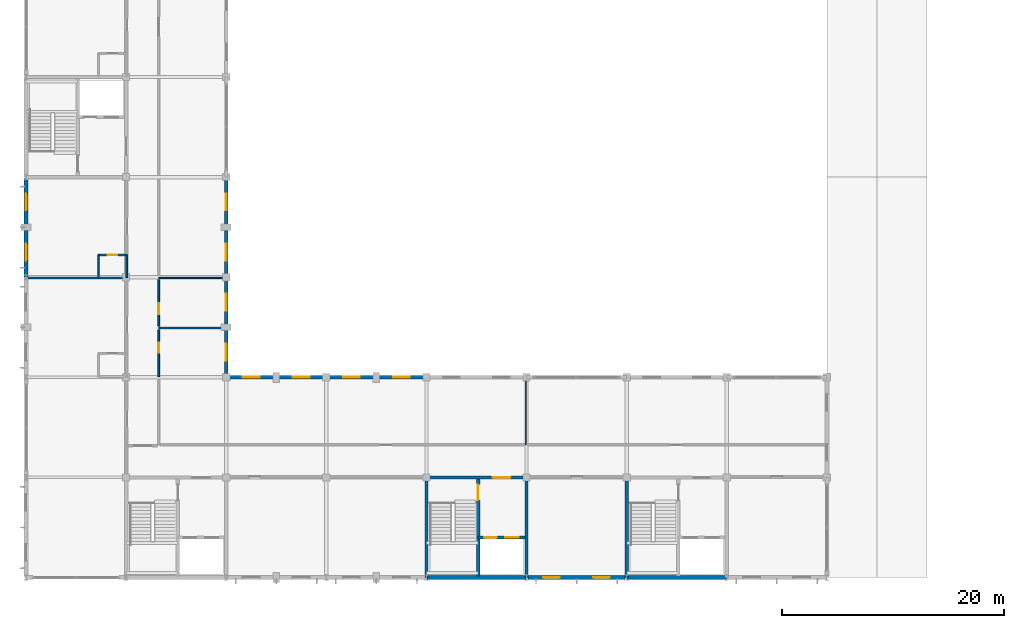
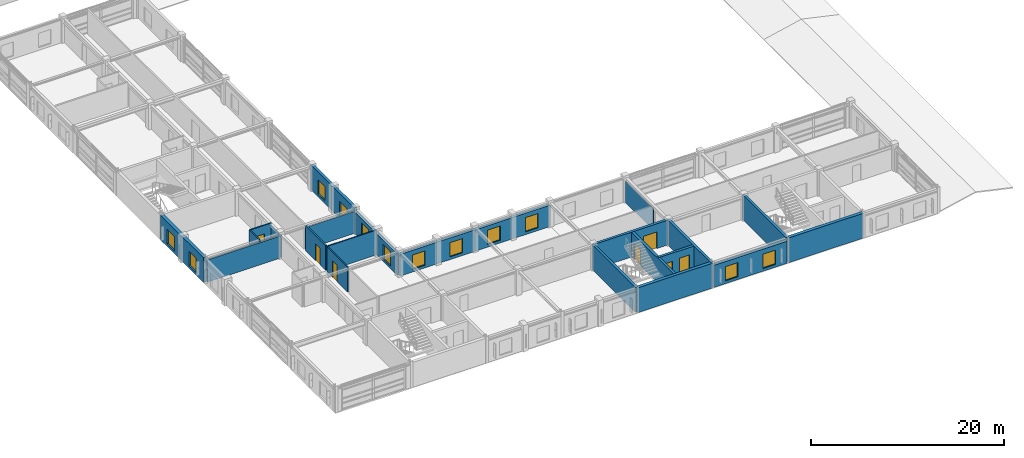
# One storey, part 71 of 91: 23 walls, 12 windows, 7 doors, 19 openings.
"""IFC4 building model written with IfcOpenShell, lengths in metres."""

from ifc_helpers import new_model, si_unit, direction, frame, frame_2d, origin, place, context, subcontext, project, spatial, rectangle, extrude, material, layer, layer_set, type_object, element, fill, save


model = new_model("IFC4")

# Units and contexts
model_context = context("Model", 3, precision=1e-05, world=origin(), true_north=direction((0.0, 1.0)))
body_context = subcontext(model_context, "Body", "Model", "MODEL_VIEW")
ifc_project = project(units=[si_unit("LENGTHUNIT", "METRE"), si_unit("AREAUNIT", "SQUARE_METRE"), si_unit("VOLUMEUNIT", "CUBIC_METRE"), si_unit("PLANEANGLEUNIT", "RADIAN"), si_unit("MASSUNIT", "GRAM", prefix="KILO")], contexts=[model_context])

# Site, building, storey
site_placement = place(None, origin())
site = spatial("IfcSite", under=ifc_project, at=site_placement, CompositionType="ELEMENT")
building_placement = place(site_placement, origin())
building = spatial("IfcBuilding", under=site, at=building_placement, Name="Palais des Congres Ocreval", CompositionType="ELEMENT")
storey_placement = place(building_placement, frame((0.0, 0.0, 8.159912109375)))
storey = spatial("IfcBuildingStorey", under=building, at=storey_placement, Name="L02", CompositionType="ELEMENT", Elevation=8.159912109375)

# Wall, opening, door
ifc_material_1 = material(Name="Moisture-resistant gypsum board")
ifc_layer_1 = layer(ifc_material_1, 0.139892578125)
ifc_layer_set_1 = layer_set([ifc_layer_1], Name="Bathroom Plumbing Chase Wall 140 Gypsum (Moisture-resistant gypsum board)")
wall_type_1 = type_object("IfcWallType", Name="Bathroom Plumbing Chase Wall 140 Gypsum", PredefinedType="PLUMBINGWALL", material=ifc_layer_set_1)
wall_1_placement = place(storey_placement, frame((6.5, 29.0, 0.0), z_axis=(0.0, 0.0, 1.0), x_axis=(1.0, 0.0, 0.0)))
wall_1 = element("IfcWall", 1, at=wall_1_placement, inside=storey, type_object=wall_type_1, Name="Bathroom Plumbing Wall PW03 L02", PredefinedType="PLUMBINGWALL", context=body_context, shape_type="SweptSolid", body=[
    extrude(rectangle(XDim=2.56005859375, YDim=0.139892578125, at=frame_2d((1.280029296875, 0.0))), origin(), (0.0, 0.0, 1.0), 3.14013671875),
])
opening_1_placement = place(wall_1_placement, frame((0.85498046875, 0.0, 0.0)))
opening_1 = element("IfcOpeningElement", 2, at=opening_1_placement, cuts=wall_1, Name="Opening D08", PredefinedType="OPENING", context=body_context, shape_type="SweptSolid", body=[
    extrude(rectangle(XDim=0.85009765625, YDim=2.0400390625, at=frame_2d((0.425048828125, 1.02001953125))), frame((0.0, 0.079833984375, 0.0), z_axis=(0.0, -1.0, 0.0), x_axis=(1.0, 0.0, 0.0)), (0.0, 0.0, 1.0), 0.159912109375),
])
ifc_material_2 = material(Name="Solid French oak", Category="wood")
door_type_1 = type_object("IfcDoorType", Name="En-Suite Bathroom Door 850x2040", OperationType="NOTDEFINED", PredefinedType="DOOR", material=ifc_material_2)
door_1_placement = place(opening_1_placement, origin())
door_1 = element("IfcDoor", 3, at=door_1_placement, inside=storey, type_object=door_type_1, Name="En-Suite Bathroom Door D08 L02", OperationType="SINGLE_SWING_RIGHT", OverallHeight=2.0400390625, OverallWidth=0.85009765625, PredefinedType="DOOR", context=body_context, shape_type="SweptSolid", body=[
    extrude(rectangle(XDim=0.85009765625, YDim=2.0400390625, at=frame_2d((0.425048828125, 1.02001953125))), frame((0.0, 0.02490234375, 0.0), z_axis=(0.0, -1.0, 0.0), x_axis=(1.0, 0.0, 0.0)), (0.0, 0.0, 1.0), 0.050048828125),
])
fill(opening_1, door_1)

# Walls
wall_2_placement = place(storey_placement, frame((6.5, 26.93994140625, 0.0), z_axis=(0.0, 0.0, 1.0), x_axis=(0.0, 1.0, 0.0)))
element("IfcWall", 4, at=wall_2_placement, inside=storey, type_object=wall_type_1, Name="Bathroom Plumbing Wall PW03 L02", PredefinedType="PLUMBINGWALL", context=body_context, shape_type="SweptSolid", body=[
    extrude(rectangle(XDim=2.06005859375, YDim=0.139892578125, at=frame_2d((1.030029296875, 0.0))), origin(), (0.0, 0.0, 1.0), 3.14013671875),
])
wall_3_placement = place(storey_placement, frame((11.93994140625, 22.43505859375, 0.0), z_axis=(0.0, 0.0, 1.0), x_axis=(1.0, 0.0, 0.0)))
element("IfcWall", 5, at=wall_3_placement, inside=storey, type_object=wall_type_1, Name="Interior Partition PW03 L02", PredefinedType="PLUMBINGWALL", context=body_context, shape_type="SweptSolid", body=[
    extrude(rectangle(XDim=5.885009765625, YDim=0.139892578125, at=frame_2d((2.9423828125, 0.0))), origin(), (0.0, 0.0, 1.0), 3.14013671875),
])

# Wall, opening, door
wall_4_placement = place(storey_placement, frame((11.93505859375, 18.070068359375, 0.0), z_axis=(0.0, 0.0, 1.0), x_axis=(0.0, 1.0, 0.0)))
wall_4 = element("IfcWall", 6, at=wall_4_placement, inside=storey, type_object=wall_type_1, Name="Interior Partition PW03 L02", PredefinedType="PLUMBINGWALL", context=body_context, shape_type="SweptSolid", body=[
    extrude(rectangle(XDim=4.2099609375, YDim=0.139892578125, at=frame_2d((2.10498046875, 0.0))), origin(), (0.0, 0.0, 1.0), 3.14013671875),
])
opening_2_placement = place(wall_4_placement, frame((2.16015625, 0.0, 0.0)))
opening_2 = element("IfcOpeningElement", 7, at=opening_2_placement, cuts=wall_4, Name="Opening D09", PredefinedType="OPENING", context=body_context, shape_type="SweptSolid", body=[
    extrude(rectangle(XDim=0.89990234375, YDim=2.10009765625, at=frame_2d((0.449951171875, 1.050048828125))), frame((0.0, 0.079833984375, 0.0), z_axis=(0.0, -1.0, 0.0), x_axis=(1.0, 0.0, 0.0)), (0.0, 0.0, 1.0), 0.159912109375),
])
door_type_2 = type_object("IfcDoorType", Name="Accessible Restroom Door 900x2100", OperationType="NOTDEFINED", PredefinedType="DOOR", material=ifc_material_2)
door_2_placement = place(opening_2_placement, origin())
door_2 = element("IfcDoor", 8, at=door_2_placement, inside=storey, type_object=door_type_2, Name="Interior Door D09 L02", OperationType="SINGLE_SWING_LEFT", OverallHeight=2.10009765625, OverallWidth=0.89990234375, PredefinedType="DOOR", context=body_context, shape_type="SweptSolid", body=[
    extrude(rectangle(XDim=0.89990234375, YDim=2.10009765625, at=frame_2d((0.449951171875, 1.050048828125))), frame((0.0, 0.02490234375, 0.0), z_axis=(0.0, -1.0, 0.0), x_axis=(1.0, 0.0, 0.0)), (0.0, 0.0, 1.0), 0.050048828125),
])
fill(opening_2, door_2)

# Wall
ifc_material_3 = material(Name="Concrete C40/50", Category="concrete")
ifc_layer_2 = layer(ifc_material_3, 0.300048828125)
ifc_layer_set_2 = layer_set([ifc_layer_2], Name="Core Shear Wall 300 Concrete C40/50")
wall_type_2 = type_object("IfcWallType", Name="Core Shear Wall 300 Concrete C40/50", PredefinedType="SHEAR", material=ifc_layer_set_2)
wall_5_placement = place(storey_placement, frame((45.0, 0.0, 0.0), z_axis=(0.0, 0.0, 1.0), x_axis=(0.0, 1.0, 0.0)))
element("IfcWall", 9, at=wall_5_placement, inside=storey, type_object=wall_type_2, Name="Core Shear Wall SC02 L02 E", PredefinedType="SHEAR", context=body_context, shape_type="SweptSolid", body=[
    extrude(rectangle(XDim=9.0, YDim=0.300048828125, at=frame_2d((4.5, 0.0))), origin(), (0.0, 0.0, 1.0), 3.14013671875),
])

# Wall, opening, door
wall_6_placement = place(storey_placement, frame((36.0, 9.0, 0.0), z_axis=(0.0, 0.0, 1.0), x_axis=(1.0, 0.0, 0.0)))
wall_6 = element("IfcWall", 10, at=wall_6_placement, inside=storey, type_object=wall_type_2, Name="Core Shear Wall SC02 L02 N", PredefinedType="SHEAR", context=body_context, shape_type="SweptSolid", body=[
    extrude(rectangle(XDim=9.0, YDim=0.300048828125, at=frame_2d((4.5, 0.0))), origin(), (0.0, 0.0, 1.0), 3.14013671875),
])
opening_3_placement = place(wall_6_placement, frame((5.949951171875, 0.0, 0.0)))
opening_3 = element("IfcOpeningElement", 11, at=opening_3_placement, cuts=wall_6, Name="Opening D02", PredefinedType="OPENING", context=body_context, shape_type="SweptSolid", body=[
    extrude(rectangle(XDim=1.60009765625, YDim=2.10009765625, at=frame_2d((0.800048828125, 1.050048828125))), frame((0.0, 0.159912109375, 0.0), z_axis=(0.0, -1.0, 0.0), x_axis=(1.0, 0.0, 0.0)), (0.0, 0.0, 1.0), 0.320068359375),
])
ifc_material_4 = material(Name="Painted fire-rated steel", Category="steel")
door_type_3 = type_object("IfcDoorType", Name="Firefighting Lobby Rated Door 1600x2100", OperationType="NOTDEFINED", PredefinedType="DOOR", material=ifc_material_4)
door_3_placement = place(opening_3_placement, origin())
door_3 = element("IfcDoor", 12, at=door_3_placement, inside=storey, type_object=door_type_3, Name="Firefighting Lobby Entrance Door SC02 L02", OperationType="DOUBLE_DOOR_SINGLE_SWING", OverallHeight=2.10009765625, OverallWidth=1.60009765625, PredefinedType="DOOR", context=body_context, shape_type="SweptSolid", body=[
    extrude(rectangle(XDim=1.60009765625, YDim=2.10009765625, at=frame_2d((0.800048828125, 1.050048828125))), frame((0.0, 0.02490234375, 0.0), z_axis=(0.0, -1.0, 0.0), x_axis=(1.0, 0.0, 0.0)), (0.0, 0.0, 1.0), 0.050048828125),
])
fill(opening_3, door_3)

# Wall
wall_7_placement = place(storey_placement, frame((36.0, 0.0, 0.0), z_axis=(0.0, 0.0, 1.0), x_axis=(0.0, 1.0, 0.0)))
element("IfcWall", 13, at=wall_7_placement, inside=storey, type_object=wall_type_2, Name="Core Shear Wall SC02 L02 W", PredefinedType="SHEAR", context=body_context, shape_type="SweptSolid", body=[
    extrude(rectangle(XDim=9.0, YDim=0.300048828125, at=frame_2d((4.5, 0.0))), origin(), (0.0, 0.0, 1.0), 3.14013671875),
])

# Wall, opening, door
wall_8_placement = place(storey_placement, frame((40.64990234375, 0.14990234375, 0.0), z_axis=(0.0, 0.0, 1.0), x_axis=(0.0, 1.0, 0.0)))
wall_8 = element("IfcWall", 14, at=wall_8_placement, inside=storey, type_object=wall_type_2, Name="Core Spine Shear Wall SC02 L02", PredefinedType="SHEAR", context=body_context, shape_type="SweptSolid", body=[
    extrude(rectangle(XDim=8.7001953125, YDim=0.300048828125, at=frame_2d((4.35009765625, 0.0))), origin(), (0.0, 0.0, 1.0), 3.14013671875),
])
opening_4_placement = place(wall_8_placement, frame((6.800048828125, 0.0, 0.0)))
opening_4 = element("IfcOpeningElement", 15, at=opening_4_placement, cuts=wall_8, Name="Opening D03", PredefinedType="OPENING", context=body_context, shape_type="SweptSolid", body=[
    extrude(rectangle(XDim=1.39990234375, YDim=2.02001953125, at=frame_2d((0.699951171875, 1.010009765625))), frame((0.0, 0.159912109375, 0.0), z_axis=(0.0, -1.0, 0.0), x_axis=(1.0, 0.0, 0.0)), (0.0, 0.0, 1.0), 0.320068359375),
])
door_type_4 = type_object("IfcDoorType", Name="Core Lobby Rated Door 1400x2020", OperationType="NOTDEFINED", PredefinedType="DOOR", material=ifc_material_4)
door_4_placement = place(opening_4_placement, origin())
door_4 = element("IfcDoor", 16, at=door_4_placement, inside=storey, type_object=door_type_4, Name="Protected Exit Stair Door ST02 L02", OperationType="SINGLE_SWING_RIGHT", OverallHeight=2.02001953125, OverallWidth=1.39990234375, PredefinedType="DOOR", context=body_context, shape_type="SweptSolid", body=[
    extrude(rectangle(XDim=1.39990234375, YDim=2.02001953125, at=frame_2d((0.699951171875, 1.010009765625))), frame((0.0, 0.02490234375, 0.0), z_axis=(0.0, -1.0, 0.0), x_axis=(1.0, 0.0, 0.0)), (0.0, 0.0, 1.0), 0.050048828125),
])
fill(opening_4, door_4)

# Wall, openings, doors
wall_9_placement = place(storey_placement, frame((40.64990234375, 3.60009765625, 0.0), z_axis=(0.0, 0.0, 1.0), x_axis=(1.0, 0.0, 0.0)))
wall_9 = element("IfcWall", 17, at=wall_9_placement, inside=storey, type_object=wall_type_2, Name="Lift Shaft Front Wall SC02 L02", PredefinedType="SHEAR", context=body_context, shape_type="SweptSolid", body=[
    extrude(rectangle(XDim=4.2001953125, YDim=0.300048828125, at=frame_2d((2.10009765625, 0.0))), origin(), (0.0, 0.0, 1.0), 3.14013671875),
])
opening_5_placement = place(wall_9_placement, frame((0.550048828125, 0.0, 0.0)))
opening_5 = element("IfcOpeningElement", 18, at=opening_5_placement, cuts=wall_9, Name="Opening LD01", PredefinedType="OPENING", context=body_context, shape_type="SweptSolid", body=[
    extrude(rectangle(XDim=1.10009765625, YDim=2.10009765625, at=frame_2d((0.550048828125, 1.050048828125))), frame((0.0, 0.159912109375, 0.0), z_axis=(0.0, -1.0, 0.0), x_axis=(1.0, 0.0, 0.0)), (0.0, 0.0, 1.0), 0.320068359375),
])
opening_6_placement = place(wall_9_placement, frame((2.449951171875, 0.0, 0.0)))
opening_6 = element("IfcOpeningElement", 19, at=opening_6_placement, cuts=wall_9, Name="Opening LD02", PredefinedType="OPENING", context=body_context, shape_type="SweptSolid", body=[
    extrude(rectangle(XDim=1.199951171875, YDim=2.199951171875, at=frame_2d((0.60009765625, 1.10009765625))), frame((0.0, 0.159912109375, 0.0), z_axis=(0.0, -1.0, 0.0), x_axis=(1.0, 0.0, 0.0)), (0.0, 0.0, 1.0), 0.320068359375),
])
ifc_material_5 = material(Name="Stainless steel", Category="steel")
door_type_5 = type_object("IfcDoorType", Name="Firefighting Lift Sliding Landing Door 1100x2100", OperationType="NOTDEFINED", PredefinedType="DOOR", material=ifc_material_5)
door_5_placement = place(opening_5_placement, origin())
door_5 = element("IfcDoor", 20, at=door_5_placement, inside=storey, type_object=door_type_5, Name="Lift Landing Sliding Door FF2 L02", OperationType="DOUBLE_DOOR_SLIDING", OverallHeight=2.10009765625, OverallWidth=1.10009765625, PredefinedType="DOOR", context=body_context, shape_type="SweptSolid", body=[
    extrude(rectangle(XDim=1.10009765625, YDim=2.10009765625, at=frame_2d((0.550048828125, 1.050048828125))), frame((0.0, 0.02490234375, 0.0), z_axis=(0.0, -1.0, 0.0), x_axis=(1.0, 0.0, 0.0)), (0.0, 0.0, 1.0), 0.050048828125),
])
fill(opening_5, door_5)
ifc_material_6 = material(Name="Anodized bronze steel", Category="steel")
door_type_6 = type_object("IfcDoorType", Name="Passenger and Service Lift Sliding Door 1200x2200", OperationType="NOTDEFINED", PredefinedType="DOOR", material=ifc_material_6)
door_6_placement = place(opening_6_placement, origin())
door_6 = element("IfcDoor", 21, at=door_6_placement, inside=storey, type_object=door_type_6, Name="Lift Landing Sliding Door PL2 L02", OperationType="DOUBLE_DOOR_SLIDING", OverallHeight=2.199951171875, OverallWidth=1.199951171875, PredefinedType="DOOR", context=body_context, shape_type="SweptSolid", body=[
    extrude(rectangle(XDim=1.199951171875, YDim=2.199951171875, at=frame_2d((0.60009765625, 1.10009765625))), frame((0.0, 0.02490234375, 0.0), z_axis=(0.0, -1.0, 0.0), x_axis=(1.0, 0.0, 0.0)), (0.0, 0.0, 1.0), 0.050048828125),
])
fill(opening_6, door_6)

# Walls
wall_10_placement = place(storey_placement, frame((54.0, 0.0, 0.0), z_axis=(0.0, 0.0, 1.0), x_axis=(0.0, 1.0, 0.0)))
element("IfcWall", 22, at=wall_10_placement, inside=storey, type_object=wall_type_2, Name="Core Shear Wall SC04 L02 W", PredefinedType="SHEAR", context=body_context, shape_type="SweptSolid", body=[
    extrude(rectangle(XDim=9.0, YDim=0.300048828125, at=frame_2d((4.5, 0.0))), origin(), (0.0, 0.0, 1.0), 3.14013671875),
])
ifc_material_7 = material(Name="Gypsum acoustic partition")
ifc_layer_3 = layer(ifc_material_7, 0.159912109375)
ifc_layer_set_3 = layer_set([ifc_layer_3], Name="Corridor Fire Partition 160 Gypsum (Gypsum acoustic partition)")
wall_type_3 = type_object("IfcWallType", Name="Corridor Fire Partition 160 Gypsum", PredefinedType="PARTITIONING", material=ifc_layer_set_3)
wall_11_placement = place(storey_placement, frame((9.06005859375, 26.93994140625, 0.0), z_axis=(0.0, 0.0, 1.0), x_axis=(0.0, 1.0, 0.0)))
element("IfcWall", 23, at=wall_11_placement, inside=storey, type_object=wall_type_3, Name="Corridor Partition IW03 L02", PredefinedType="PARTITIONING", context=body_context, shape_type="SweptSolid", body=[
    extrude(rectangle(XDim=2.06005859375, YDim=0.159912109375, at=frame_2d((1.030029296875, 0.0))), origin(), (0.0, 0.0, 1.0), 2.77001953125),
])

# Wall, opening, door
wall_12_placement = place(storey_placement, frame((11.93505859375, 22.590087890625, 0.0), z_axis=(0.0, 0.0, 1.0), x_axis=(0.0, 1.0, 0.0)))
wall_12 = element("IfcWall", 24, at=wall_12_placement, inside=storey, type_object=wall_type_3, Name="Interior Partition IW03 L02", PredefinedType="PARTITIONING", context=body_context, shape_type="SweptSolid", body=[
    extrude(rectangle(XDim=4.18994140625, YDim=0.159912109375, at=frame_2d((2.094970703125, 0.0))), origin(), (0.0, 0.0, 1.0), 3.14013671875),
])
opening_7_placement = place(wall_12_placement, frame((1.09228515625, 0.0, 0.0)))
opening_7 = element("IfcOpeningElement", 25, at=opening_7_placement, cuts=wall_12, Name="Opening D10", PredefinedType="OPENING", context=body_context, shape_type="SweptSolid", body=[
    extrude(rectangle(XDim=1.0, YDim=2.10009765625, at=frame_2d((0.5, 1.050048828125))), frame((0.0, 0.08984375, 0.0), z_axis=(0.0, -1.0, 0.0), x_axis=(1.0, 0.0, 0.0)), (0.0, 0.0, 1.0), 0.179931640625),
])
ifc_material_8 = material(Name="Painted steel", Category="steel")
door_type_7 = type_object("IfcDoorType", Name="Service and Pantry Door 1000x2100", OperationType="NOTDEFINED", PredefinedType="DOOR", material=ifc_material_8)
door_7_placement = place(opening_7_placement, origin())
door_7 = element("IfcDoor", 26, at=door_7_placement, inside=storey, type_object=door_type_7, Name="Interior Door D10 L02", OperationType="SINGLE_SWING_RIGHT", OverallHeight=2.10009765625, OverallWidth=1.0, PredefinedType="DOOR", context=body_context, shape_type="SweptSolid", body=[
    extrude(rectangle(XDim=1.0, YDim=2.10009765625, at=frame_2d((0.5, 1.050048828125))), frame((0.0, 0.02490234375, 0.0), z_axis=(0.0, -1.0, 0.0), x_axis=(1.0, 0.0, 0.0)), (0.0, 0.0, 1.0), 0.050048828125),
])
fill(opening_7, door_7)

# Walls
ifc_layer_4 = layer(ifc_material_7, 0.179931640625)
ifc_layer_set_4 = layer_set([ifc_layer_4], Name="Hotel Inter-Room Acoustic Partition 180 Gypsum (Gypsum acoustic partition)")
wall_type_4 = type_object("IfcWallType", Name="Hotel Inter-Room Acoustic Partition 180 Gypsum", PredefinedType="PARTITIONING", material=ifc_layer_set_4)
wall_13_placement = place(storey_placement, frame((0.195068359375, 26.93505859375, 0.0), z_axis=(0.0, 0.0, 1.0), x_axis=(1.0, 0.0, 0.0)))
element("IfcWall", 27, at=wall_13_placement, inside=storey, type_object=wall_type_4, Name="Hotel Party Partition IW02 L02", PredefinedType="PARTITIONING", context=body_context, shape_type="SweptSolid", body=[
    extrude(rectangle(XDim=8.7099609375, YDim=0.179931640625, at=frame_2d((4.35498046875, 0.0))), origin(), (0.0, 0.0, 1.0), 2.81005859375),
])
ifc_layer_5 = layer(ifc_material_3, 0.3798828125)
ifc_layer_set_5 = layer_set([ifc_layer_5], Name="Lutetian Limestone Street Wall 380 Concrete C40/50")
wall_type_5 = type_object("IfcWallType", Name="Lutetian Limestone Street Wall 380 Concrete C40/50", PredefinedType="SOLIDWALL", material=ifc_layer_set_5)
wall_14_placement = place(storey_placement, frame((63.0, 0.0, 0.0), z_axis=(0.0, 0.0, 1.0), x_axis=(-1.0, 0.0, 0.0)))
element("IfcWall", 28, at=wall_14_placement, inside=storey, type_object=wall_type_5, Name="Core Perimeter Shear Wall EW03 SC04 L02", PredefinedType="SOLIDWALL", context=body_context, shape_type="SweptSolid", body=[
    extrude(rectangle(XDim=9.0, YDim=0.3798828125, at=frame_2d((4.5, 0.0))), origin(), (0.0, 0.0, 1.0), 3.14013671875),
])

# Wall, openings, windows
wall_15_placement = place(storey_placement, frame((53.8701171875, 0.0, 0.0), z_axis=(0.0, 0.0, 1.0), x_axis=(-1.0, 0.0, 0.0)))
wall_15 = element("IfcWall", 29, at=wall_15_placement, inside=storey, type_object=wall_type_5, Name="Exterior Wall EW03 L02", PredefinedType="SOLIDWALL", context=body_context, shape_type="SweptSolid", body=[
    extrude(rectangle(XDim=8.740234375, YDim=0.3798828125, at=frame_2d((4.3701171875, 0.0))), origin(), (0.0, 0.0, 1.0), 2.800048828125),
])
opening_8_placement = place(wall_15_placement, frame((1.3701171875, 0.0, 0.35009765625)))
opening_8 = element("IfcOpeningElement", 30, at=opening_8_placement, cuts=wall_15, Name="Opening WN06", PredefinedType="OPENING", context=body_context, shape_type="SweptSolid", body=[
    extrude(rectangle(XDim=1.5, YDim=1.800048828125, at=frame_2d((0.75, 0.89990234375))), frame((0.0, 0.199951171875, 0.0), z_axis=(0.0, -1.0, 0.0), x_axis=(1.0, 0.0, 0.0)), (0.0, 0.0, 1.0), 0.39990234375),
])
opening_9_placement = place(wall_15_placement, frame((5.8701171875, 0.0, 0.35009765625)))
opening_9 = element("IfcOpeningElement", 31, at=opening_9_placement, cuts=wall_15, Name="Opening WN06", PredefinedType="OPENING", context=body_context, shape_type="SweptSolid", body=[
    extrude(rectangle(XDim=1.5, YDim=1.800048828125, at=frame_2d((0.75, 0.89990234375))), frame((0.0, 0.199951171875, 0.0), z_axis=(0.0, -1.0, 0.0), x_axis=(1.0, 0.0, 0.0)), (0.0, 0.0, 1.0), 0.39990234375),
])
ifc_material_9 = material(Name="Anodized bronze aluminium and low-E glass", Category="glass")
window_type = type_object("IfcWindowType", Name="Upper Setback Window 1500x1800", PartitioningType="SINGLE_PANEL", PredefinedType="WINDOW", material=ifc_material_9)
window_1_placement = place(opening_8_placement, origin())
window_1 = element("IfcWindow", 32, at=window_1_placement, inside=storey, type_object=window_type, Name="Hotel Facade Window WN06", OverallHeight=1.800048828125, OverallWidth=1.5, PartitioningType="SINGLE_PANEL", PredefinedType="WINDOW", context=body_context, shape_type="SweptSolid", body=[
    extrude(rectangle(XDim=1.5, YDim=1.800048828125, at=frame_2d((0.75, 0.89990234375))), frame((0.0, 0.030029296875, 0.0), z_axis=(0.0, -1.0, 0.0), x_axis=(1.0, 0.0, 0.0)), (0.0, 0.0, 1.0), 0.06005859375),
])
fill(opening_8, window_1)
window_2_placement = place(opening_9_placement, origin())
window_2 = element("IfcWindow", 33, at=window_2_placement, inside=storey, type_object=window_type, Name="Hotel Facade Window WN06", OverallHeight=1.800048828125, OverallWidth=1.5, PartitioningType="SINGLE_PANEL", PredefinedType="WINDOW", context=body_context, shape_type="SweptSolid", body=[
    extrude(rectangle(XDim=1.5, YDim=1.800048828125, at=frame_2d((0.75, 0.89990234375))), frame((0.0, 0.030029296875, 0.0), z_axis=(0.0, -1.0, 0.0), x_axis=(1.0, 0.0, 0.0)), (0.0, 0.0, 1.0), 0.06005859375),
])
fill(opening_9, window_2)

# Wall
wall_16_placement = place(storey_placement, frame((45.0, 0.0, 0.0), z_axis=(0.0, 0.0, 1.0), x_axis=(-1.0, 0.0, 0.0)))
element("IfcWall", 34, at=wall_16_placement, inside=storey, type_object=wall_type_5, Name="Core Perimeter Shear Wall EW03 SC02 L02", PredefinedType="SOLIDWALL", context=body_context, shape_type="SweptSolid", body=[
    extrude(rectangle(XDim=9.0, YDim=0.3798828125, at=frame_2d((4.5, 0.0))), origin(), (0.0, 0.0, 1.0), 3.14013671875),
])

# Wall, openings, windows
wall_17_placement = place(storey_placement, frame((0.0, 27.0, 0.0), z_axis=(0.0, 0.0, 1.0), x_axis=(0.0, 1.0, 0.0)))
wall_17 = element("IfcWall", 35, at=wall_17_placement, inside=storey, type_object=wall_type_5, Name="Exterior Wall EW03 L02", PredefinedType="SOLIDWALL", context=body_context, shape_type="SweptSolid", body=[
    extrude(rectangle(XDim=8.8701171875, YDim=0.3798828125, at=frame_2d((4.43505859375, 0.0))), origin(), (0.0, 0.0, 1.0), 3.14013671875),
])
opening_10_placement = place(wall_17_placement, frame((1.5, 0.0, 0.35009765625)))
opening_10 = element("IfcOpeningElement", 36, at=opening_10_placement, cuts=wall_17, Name="Opening WN06", PredefinedType="OPENING", context=body_context, shape_type="SweptSolid", body=[
    extrude(rectangle(XDim=1.5, YDim=1.800048828125, at=frame_2d((0.75, 0.89990234375))), frame((0.0, 0.199951171875, 0.0), z_axis=(0.0, -1.0, 0.0), x_axis=(1.0, 0.0, 0.0)), (0.0, 0.0, 1.0), 0.39990234375),
])
opening_11_placement = place(wall_17_placement, frame((6.0, 0.0, 0.35009765625)))
opening_11 = element("IfcOpeningElement", 37, at=opening_11_placement, cuts=wall_17, Name="Opening WN06", PredefinedType="OPENING", context=body_context, shape_type="SweptSolid", body=[
    extrude(rectangle(XDim=1.5, YDim=1.800048828125, at=frame_2d((0.75, 0.89990234375))), frame((0.0, 0.199951171875, 0.0), z_axis=(0.0, -1.0, 0.0), x_axis=(1.0, 0.0, 0.0)), (0.0, 0.0, 1.0), 0.39990234375),
])
window_3_placement = place(opening_10_placement, origin())
window_3 = element("IfcWindow", 38, at=window_3_placement, inside=storey, type_object=window_type, Name="Hotel Facade Window WN06", OverallHeight=1.800048828125, OverallWidth=1.5, PartitioningType="SINGLE_PANEL", PredefinedType="WINDOW", context=body_context, shape_type="SweptSolid", body=[
    extrude(rectangle(XDim=1.5, YDim=1.800048828125, at=frame_2d((0.75, 0.89990234375))), frame((0.0, 0.030029296875, 0.0), z_axis=(0.0, -1.0, 0.0), x_axis=(1.0, 0.0, 0.0)), (0.0, 0.0, 1.0), 0.06005859375),
])
fill(opening_10, window_3)
window_4_placement = place(opening_11_placement, origin())
window_4 = element("IfcWindow", 39, at=window_4_placement, inside=storey, type_object=window_type, Name="Hotel Facade Window WN06", OverallHeight=1.800048828125, OverallWidth=1.5, PartitioningType="SINGLE_PANEL", PredefinedType="WINDOW", context=body_context, shape_type="SweptSolid", body=[
    extrude(rectangle(XDim=1.5, YDim=1.800048828125, at=frame_2d((0.75, 0.89990234375))), frame((0.0, 0.030029296875, 0.0), z_axis=(0.0, -1.0, 0.0), x_axis=(1.0, 0.0, 0.0)), (0.0, 0.0, 1.0), 0.06005859375),
])
fill(opening_11, window_4)

ifc_layer_6 = layer(ifc_material_3, 0.340087890625)
ifc_layer_set_6 = layer_set([ifc_layer_6], Name="Ochre Mineral-Lime Courtyard Wall 340 Concrete C40/50")
wall_type_6 = type_object("IfcWallType", Name="Ochre Mineral-Lime Courtyard Wall 340 Concrete C40/50", PredefinedType="SOLIDWALL", material=ifc_layer_set_6)
wall_18_placement = place(storey_placement, frame((18.0, 36.0, 0.0), z_axis=(0.0, 0.0, 1.0), x_axis=(0.0, -1.0, 0.0)))
wall_18 = element("IfcWall", 40, at=wall_18_placement, inside=storey, type_object=wall_type_6, Name="Exterior Wall EW04 L02", PredefinedType="SOLIDWALL", context=body_context, shape_type="SweptSolid", body=[
    extrude(rectangle(XDim=9.0, YDim=0.340087890625, at=frame_2d((4.5, 0.0))), origin(), (0.0, 0.0, 1.0), 3.14013671875),
])
opening_12_placement = place(wall_18_placement, frame((1.5, 0.0, 0.35009765625)))
opening_12 = element("IfcOpeningElement", 41, at=opening_12_placement, cuts=wall_18, Name="Opening WN06", PredefinedType="OPENING", context=body_context, shape_type="SweptSolid", body=[
    extrude(rectangle(XDim=1.5, YDim=1.800048828125, at=frame_2d((0.75, 0.89990234375))), frame((0.0, 0.179931640625, 0.0), z_axis=(0.0, -1.0, 0.0), x_axis=(1.0, 0.0, 0.0)), (0.0, 0.0, 1.0), 0.360107421875),
])
opening_13_placement = place(wall_18_placement, frame((6.0, 0.0, 0.35009765625)))
opening_13 = element("IfcOpeningElement", 42, at=opening_13_placement, cuts=wall_18, Name="Opening WN06", PredefinedType="OPENING", context=body_context, shape_type="SweptSolid", body=[
    extrude(rectangle(XDim=1.5, YDim=1.800048828125, at=frame_2d((0.75, 0.89990234375))), frame((0.0, 0.179931640625, 0.0), z_axis=(0.0, -1.0, 0.0), x_axis=(1.0, 0.0, 0.0)), (0.0, 0.0, 1.0), 0.360107421875),
])
window_5_placement = place(opening_12_placement, origin())
window_5 = element("IfcWindow", 43, at=window_5_placement, inside=storey, type_object=window_type, Name="Hotel Facade Window WN06", OverallHeight=1.800048828125, OverallWidth=1.5, PartitioningType="SINGLE_PANEL", PredefinedType="WINDOW", context=body_context, shape_type="SweptSolid", body=[
    extrude(rectangle(XDim=1.5, YDim=1.800048828125, at=frame_2d((0.75, 0.89990234375))), frame((0.0, 0.030029296875, 0.0), z_axis=(0.0, -1.0, 0.0), x_axis=(1.0, 0.0, 0.0)), (0.0, 0.0, 1.0), 0.06005859375),
])
fill(opening_12, window_5)
window_6_placement = place(opening_13_placement, origin())
window_6 = element("IfcWindow", 44, at=window_6_placement, inside=storey, type_object=window_type, Name="Hotel Facade Window WN06", OverallHeight=1.800048828125, OverallWidth=1.5, PartitioningType="SINGLE_PANEL", PredefinedType="WINDOW", context=body_context, shape_type="SweptSolid", body=[
    extrude(rectangle(XDim=1.5, YDim=1.800048828125, at=frame_2d((0.75, 0.89990234375))), frame((0.0, 0.030029296875, 0.0), z_axis=(0.0, -1.0, 0.0), x_axis=(1.0, 0.0, 0.0)), (0.0, 0.0, 1.0), 0.06005859375),
])
fill(opening_13, window_6)

wall_19_placement = place(storey_placement, frame((18.0, 27.0, 0.0), z_axis=(0.0, 0.0, 1.0), x_axis=(0.0, -1.0, 0.0)))
wall_19 = element("IfcWall", 45, at=wall_19_placement, inside=storey, type_object=wall_type_6, Name="Exterior Wall EW04 L02", PredefinedType="SOLIDWALL", context=body_context, shape_type="SweptSolid", body=[
    extrude(rectangle(XDim=8.844970703125, YDim=0.340087890625, at=frame_2d((4.42236328125, 0.0))), origin(), (0.0, 0.0, 1.0), 2.7001953125),
])
opening_14_placement = place(wall_19_placement, frame((1.5, 0.0, 0.35009765625)))
opening_14 = element("IfcOpeningElement", 46, at=opening_14_placement, cuts=wall_19, Name="Opening WN06", PredefinedType="OPENING", context=body_context, shape_type="SweptSolid", body=[
    extrude(rectangle(XDim=1.5, YDim=1.800048828125, at=frame_2d((0.75, 0.89990234375))), frame((0.0, 0.179931640625, 0.0), z_axis=(0.0, -1.0, 0.0), x_axis=(1.0, 0.0, 0.0)), (0.0, 0.0, 1.0), 0.360107421875),
])
opening_15_placement = place(wall_19_placement, frame((6.0, 0.0, 0.35009765625)))
opening_15 = element("IfcOpeningElement", 47, at=opening_15_placement, cuts=wall_19, Name="Opening WN06", PredefinedType="OPENING", context=body_context, shape_type="SweptSolid", body=[
    extrude(rectangle(XDim=1.5, YDim=1.800048828125, at=frame_2d((0.75, 0.89990234375))), frame((0.0, 0.179931640625, 0.0), z_axis=(0.0, -1.0, 0.0), x_axis=(1.0, 0.0, 0.0)), (0.0, 0.0, 1.0), 0.360107421875),
])
window_7_placement = place(opening_14_placement, origin())
window_7 = element("IfcWindow", 48, at=window_7_placement, inside=storey, type_object=window_type, Name="Hotel Facade Window WN06", OverallHeight=1.800048828125, OverallWidth=1.5, PartitioningType="SINGLE_PANEL", PredefinedType="WINDOW", context=body_context, shape_type="SweptSolid", body=[
    extrude(rectangle(XDim=1.5, YDim=1.800048828125, at=frame_2d((0.75, 0.89990234375))), frame((0.0, 0.030029296875, 0.0), z_axis=(0.0, -1.0, 0.0), x_axis=(1.0, 0.0, 0.0)), (0.0, 0.0, 1.0), 0.06005859375),
])
fill(opening_14, window_7)
window_8_placement = place(opening_15_placement, origin())
window_8 = element("IfcWindow", 49, at=window_8_placement, inside=storey, type_object=window_type, Name="Hotel Facade Window WN06", OverallHeight=1.800048828125, OverallWidth=1.5, PartitioningType="SINGLE_PANEL", PredefinedType="WINDOW", context=body_context, shape_type="SweptSolid", body=[
    extrude(rectangle(XDim=1.5, YDim=1.800048828125, at=frame_2d((0.75, 0.89990234375))), frame((0.0, 0.030029296875, 0.0), z_axis=(0.0, -1.0, 0.0), x_axis=(1.0, 0.0, 0.0)), (0.0, 0.0, 1.0), 0.06005859375),
])
fill(opening_15, window_8)

wall_20_placement = place(storey_placement, frame((18.0, 18.0, 0.0), z_axis=(0.0, 0.0, 1.0), x_axis=(1.0, 0.0, 0.0)))
wall_20 = element("IfcWall", 50, at=wall_20_placement, inside=storey, type_object=wall_type_6, Name="Exterior Wall EW04 L02", PredefinedType="SOLIDWALL", context=body_context, shape_type="SweptSolid", body=[
    extrude(rectangle(XDim=9.0, YDim=0.340087890625, at=frame_2d((4.5, 0.0))), origin(), (0.0, 0.0, 1.0), 2.739990234375),
])
opening_16_placement = place(wall_20_placement, frame((1.5, 0.0, 0.35009765625)))
opening_16 = element("IfcOpeningElement", 51, at=opening_16_placement, cuts=wall_20, Name="Opening WN06", PredefinedType="OPENING", context=body_context, shape_type="SweptSolid", body=[
    extrude(rectangle(XDim=1.5, YDim=1.800048828125, at=frame_2d((0.75, 0.89990234375))), frame((0.0, 0.179931640625, 0.0), z_axis=(0.0, -1.0, 0.0), x_axis=(1.0, 0.0, 0.0)), (0.0, 0.0, 1.0), 0.360107421875),
])
opening_17_placement = place(wall_20_placement, frame((6.0, 0.0, 0.35009765625)))
opening_17 = element("IfcOpeningElement", 52, at=opening_17_placement, cuts=wall_20, Name="Opening WN06", PredefinedType="OPENING", context=body_context, shape_type="SweptSolid", body=[
    extrude(rectangle(XDim=1.5, YDim=1.800048828125, at=frame_2d((0.75, 0.89990234375))), frame((0.0, 0.179931640625, 0.0), z_axis=(0.0, -1.0, 0.0), x_axis=(1.0, 0.0, 0.0)), (0.0, 0.0, 1.0), 0.360107421875),
])
window_9_placement = place(opening_16_placement, origin())
window_9 = element("IfcWindow", 53, at=window_9_placement, inside=storey, type_object=window_type, Name="Hotel Facade Window WN06", OverallHeight=1.800048828125, OverallWidth=1.5, PartitioningType="SINGLE_PANEL", PredefinedType="WINDOW", context=body_context, shape_type="SweptSolid", body=[
    extrude(rectangle(XDim=1.5, YDim=1.800048828125, at=frame_2d((0.75, 0.89990234375))), frame((0.0, 0.030029296875, 0.0), z_axis=(0.0, -1.0, 0.0), x_axis=(1.0, 0.0, 0.0)), (0.0, 0.0, 1.0), 0.06005859375),
])
fill(opening_16, window_9)
window_10_placement = place(opening_17_placement, origin())
window_10 = element("IfcWindow", 54, at=window_10_placement, inside=storey, type_object=window_type, Name="Hotel Facade Window WN06", OverallHeight=1.800048828125, OverallWidth=1.5, PartitioningType="SINGLE_PANEL", PredefinedType="WINDOW", context=body_context, shape_type="SweptSolid", body=[
    extrude(rectangle(XDim=1.5, YDim=1.800048828125, at=frame_2d((0.75, 0.89990234375))), frame((0.0, 0.030029296875, 0.0), z_axis=(0.0, -1.0, 0.0), x_axis=(1.0, 0.0, 0.0)), (0.0, 0.0, 1.0), 0.06005859375),
])
fill(opening_17, window_10)

wall_21_placement = place(storey_placement, frame((27.0, 18.0, 0.0), z_axis=(0.0, 0.0, 1.0), x_axis=(1.0, 0.0, 0.0)))
wall_21 = element("IfcWall", 55, at=wall_21_placement, inside=storey, type_object=wall_type_6, Name="Exterior Wall EW04 L02", PredefinedType="SOLIDWALL", context=body_context, shape_type="SweptSolid", body=[
    extrude(rectangle(XDim=9.0, YDim=0.340087890625, at=frame_2d((4.5, 0.0))), origin(), (0.0, 0.0, 1.0), 2.7001953125),
])
opening_18_placement = place(wall_21_placement, frame((1.5, 0.0, 0.35009765625)))
opening_18 = element("IfcOpeningElement", 56, at=opening_18_placement, cuts=wall_21, Name="Opening WN06", PredefinedType="OPENING", context=body_context, shape_type="SweptSolid", body=[
    extrude(rectangle(XDim=1.5, YDim=1.800048828125, at=frame_2d((0.75, 0.89990234375))), frame((0.0, 0.179931640625, 0.0), z_axis=(0.0, -1.0, 0.0), x_axis=(1.0, 0.0, 0.0)), (0.0, 0.0, 1.0), 0.360107421875),
])
opening_19_placement = place(wall_21_placement, frame((6.0, 0.0, 0.35009765625)))
opening_19 = element("IfcOpeningElement", 57, at=opening_19_placement, cuts=wall_21, Name="Opening WN06", PredefinedType="OPENING", context=body_context, shape_type="SweptSolid", body=[
    extrude(rectangle(XDim=1.5, YDim=1.800048828125, at=frame_2d((0.75, 0.89990234375))), frame((0.0, 0.179931640625, 0.0), z_axis=(0.0, -1.0, 0.0), x_axis=(1.0, 0.0, 0.0)), (0.0, 0.0, 1.0), 0.360107421875),
])
window_11_placement = place(opening_18_placement, origin())
window_11 = element("IfcWindow", 58, at=window_11_placement, inside=storey, type_object=window_type, Name="Hotel Facade Window WN06", OverallHeight=1.800048828125, OverallWidth=1.5, PartitioningType="SINGLE_PANEL", PredefinedType="WINDOW", context=body_context, shape_type="SweptSolid", body=[
    extrude(rectangle(XDim=1.5, YDim=1.800048828125, at=frame_2d((0.75, 0.89990234375))), frame((0.0, 0.030029296875, 0.0), z_axis=(0.0, -1.0, 0.0), x_axis=(1.0, 0.0, 0.0)), (0.0, 0.0, 1.0), 0.06005859375),
])
fill(opening_18, window_11)
window_12_placement = place(opening_19_placement, origin())
window_12 = element("IfcWindow", 59, at=window_12_placement, inside=storey, type_object=window_type, Name="Hotel Facade Window WN06", OverallHeight=1.800048828125, OverallWidth=1.5, PartitioningType="SINGLE_PANEL", PredefinedType="WINDOW", context=body_context, shape_type="SweptSolid", body=[
    extrude(rectangle(XDim=1.5, YDim=1.800048828125, at=frame_2d((0.75, 0.89990234375))), frame((0.0, 0.030029296875, 0.0), z_axis=(0.0, -1.0, 0.0), x_axis=(1.0, 0.0, 0.0)), (0.0, 0.0, 1.0), 0.06005859375),
])
fill(opening_19, window_12)

# Walls
ifc_material_10 = material(Name="Gypsum board partition")
ifc_layer_7 = layer(ifc_material_10, 0.1201171875)
ifc_layer_set_7 = layer_set([ifc_layer_7], Name="Suite Subdivision Partition 120 Gypsum (Gypsum board partition)")
wall_type_7 = type_object("IfcWallType", Name="Suite Subdivision Partition 120 Gypsum", PredefinedType="PARTITIONING", material=ifc_layer_set_7)
wall_22_placement = place(storey_placement, frame((44.93505859375, 11.93994140625, 0.0), z_axis=(0.0, 0.0, 1.0), x_axis=(0.0, 1.0, 0.0)))
element("IfcWall", 60, at=wall_22_placement, inside=storey, type_object=wall_type_7, Name="Interior Partition IW04 L02", PredefinedType="PARTITIONING", context=body_context, shape_type="SweptSolid", body=[
    extrude(rectangle(XDim=5.885009765625, YDim=0.1201171875, at=frame_2d((2.9423828125, 0.0))), origin(), (0.0, 0.0, 1.0), 2.66015625),
])
wall_23_placement = place(storey_placement, frame((11.93994140625, 26.93505859375, 0.0), z_axis=(0.0, 0.0, 1.0), x_axis=(1.0, 0.0, 0.0)))
element("IfcWall", 61, at=wall_23_placement, inside=storey, type_object=wall_type_7, Name="Interior Partition IW04 L02", PredefinedType="PARTITIONING", context=body_context, shape_type="SweptSolid", body=[
    extrude(rectangle(XDim=5.885009765625, YDim=0.1201171875, at=frame_2d((2.9423828125, 0.0))), origin(), (0.0, 0.0, 1.0), 2.77001953125),
])

save(model, "model.ifc")
